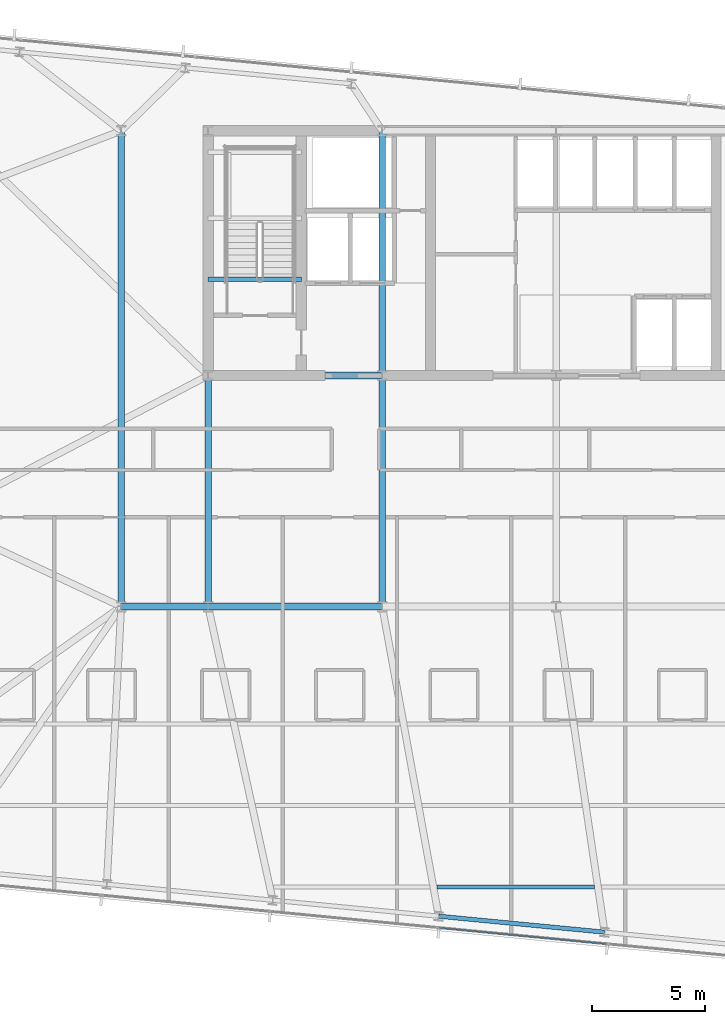
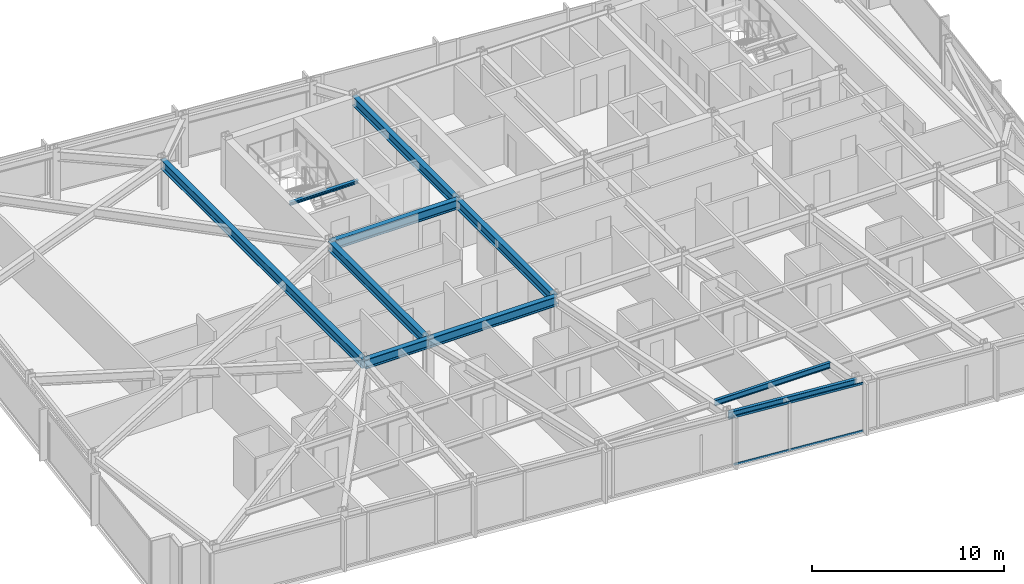
# One storey, part 11 of 38: 10 beams, 2 members, 1 element without a shape of its own.
"""IFC4 building model written with IfcOpenShell, lengths in metres."""

from ifc_helpers import new_model, si_unit, direction, frame, origin, origin_2d, place, context, subcontext, project, spatial, hollow_rectangle, i_section, extrude, material, material_profile, profile_set, type_object, element, aggregate, save


model = new_model("IFC4")

# Units and contexts
model_context = context("Model", 3, precision=1e-05, world=origin(), true_north=direction((0.0, 1.0)))
body_context = subcontext(model_context, "Body", "Model", "MODEL_VIEW")
ifc_project = project(units=[si_unit("LENGTHUNIT", "METRE"), si_unit("AREAUNIT", "SQUARE_METRE"), si_unit("VOLUMEUNIT", "CUBIC_METRE"), si_unit("PLANEANGLEUNIT", "RADIAN"), si_unit("MASSUNIT", "GRAM", prefix="KILO")], contexts=[model_context])

# Site, building, storey
site_placement = place(None, origin())
site = spatial("IfcSite", under=ifc_project, at=site_placement, CompositionType="ELEMENT")
building_placement = place(site_placement, origin())
building = spatial("IfcBuilding", under=site, at=building_placement, Name="Yelkora Congress Tower", CompositionType="ELEMENT")
storey_placement = place(building_placement, frame((0.0, 0.0, 178.699951171875)))
storey = spatial("IfcBuildingStorey", under=building, at=storey_placement, Name="L49", CompositionType="ELEMENT", Elevation=178.699951171875)

# Beams
ifc_material_1 = material(Name="Steel S355J2", Category="steel")
ifc_material_profile_1 = material_profile(ifc_material_1, i_section(OverallWidth=0.300048828125, OverallDepth=0.60009765625, WebThickness=0.015380859375, FlangeThickness=0.030029296875, FilletRadius=0.027099609375, at=origin_2d()), Name="HEB 600")
ifc_profile_set_1 = profile_set([ifc_material_profile_1], Name="Steel S355J2")
beam_type_1 = type_object("IfcBeamType", Name="BM-GIRD-HEB600", PredefinedType="BEAM", material=ifc_profile_set_1)
beam_1_placement = place(storey_placement, frame((19.199951171875, 25.199951171875, 2.780029296875), z_axis=(1.0, 0.0, 0.0), x_axis=(0.0, 1.0, 0.0)))
element("IfcBeam", 1, at=beam_1_placement, inside=storey, type_object=beam_type_1, Name="L49 Spine Grid D Girder 1", PredefinedType="BEAM", context=body_context, shape_type="SweptSolid", body=[
    extrude(i_section(OverallWidth=0.300048828125, OverallDepth=0.60009765625, WebThickness=0.015380859375, FlangeThickness=0.030029296875, FilletRadius=0.027099609375, at=origin_2d()), origin(), (0.0, 0.0, 1.0), 3.840087890625),
])
for number, where, z_axis, x_axis, name in (
    (2, (23.0400390625, 25.199951171875, 2.780029296875), (1.0, 0.0, 0.0), (0.0, 1.0, 0.0), "L49 Spine Grid D Girder 2"),
    (3, (23.0400390625, 35.39990234375, 2.780029296875), (1.0, 0.0, 0.0), (0.0, 1.0, 0.0), "L49 Core South Girder 1"),
):
    element("IfcBeam", number, at=place(storey_placement, frame(where, z_axis=z_axis, x_axis=x_axis)), inside=storey, type_object=beam_type_1, Name=name, PredefinedType="BEAM", context=body_context, shape_type="SweptSolid", body=[
        extrude(i_section(OverallWidth=0.300048828125, OverallDepth=0.60009765625, WebThickness=0.015380859375, FlangeThickness=0.030029296875, FilletRadius=0.027099609375, at=origin_2d()), origin(), (0.0, 0.0, 1.0), 7.679931640625),
    ])
for number, where, z_axis, x_axis, name in (
    (4, (23.0400390625, 25.199951171875, 2.780029296875), (0.0, 1.0, 0.0), (-1.0, 0.0, 0.0), "L49 Core Tie Girder MC-D1"),
    (5, (30.719970703125, 25.199951171875, 2.780029296875), (0.0, 1.0, 0.0), (-1.0, 0.0, 0.0), "L49 Core Tie Girder MC-D2"),
):
    element("IfcBeam", number, at=place(storey_placement, frame(where, z_axis=z_axis, x_axis=x_axis)), inside=storey, type_object=beam_type_1, Name=name, PredefinedType="BEAM", context=body_context, shape_type="SweptSolid", body=[
        extrude(i_section(OverallWidth=0.300048828125, OverallDepth=0.60009765625, WebThickness=0.015380859375, FlangeThickness=0.030029296875, FilletRadius=0.027099609375, at=origin_2d()), origin(), (0.0, 0.0, 1.0), 10.199951171875),
    ])
beam_2_placement = place(storey_placement, frame((30.719970703125, 35.39990234375, 2.780029296875), z_axis=(0.0, 1.0, 0.0), x_axis=(-1.0, 0.0, 0.0)))
element("IfcBeam", 6, at=beam_2_placement, inside=storey, type_object=beam_type_1, Name="L49 Core Tie Girder MC-S2", PredefinedType="BEAM", context=body_context, shape_type="SweptSolid", body=[
    extrude(i_section(OverallWidth=0.300048828125, OverallDepth=0.60009765625, WebThickness=0.015380859375, FlangeThickness=0.030029296875, FilletRadius=0.027099609375, at=origin_2d()), origin(), (0.0, 0.0, 1.0), 10.800048828125),
])
beam_3_placement = place(storey_placement, frame((19.199951171875, 25.199951171875, 2.780029296875), z_axis=(0.0, 1.0, 0.0), x_axis=(-1.0, 0.0, 0.0)))
element("IfcBeam", 7, at=beam_3_placement, inside=storey, type_object=beam_type_1, Name="L49 Neck Flank Girder MC-F1", PredefinedType="BEAM", context=body_context, shape_type="SweptSolid", body=[
    extrude(i_section(OverallWidth=0.300048828125, OverallDepth=0.60009765625, WebThickness=0.015380859375, FlangeThickness=0.030029296875, FilletRadius=0.027099609375, at=origin_2d()), origin(), (0.0, 0.0, 1.0), 21.0),
])
ifc_material_profile_2 = material_profile(ifc_material_1, i_section(OverallWidth=0.169921875, OverallDepth=0.360107421875, WebThickness=0.008056640625, FlangeThickness=0.0126953125, FilletRadius=0.01806640625, at=origin_2d()), Name="IPE 360")
ifc_profile_set_2 = profile_set([ifc_material_profile_2], Name="Steel S355J2")
beam_type_2 = type_object("IfcBeamType", Name="BM-JOIST-IPE360", PredefinedType="JOIST", material=ifc_profile_set_2)
beam_4_placement = place(storey_placement, frame((33.137939453125, 12.8212890625, 2.900146484375), z_axis=(1.0, 0.0, 0.0), x_axis=(0.0, 1.0, 0.0)))
element("IfcBeam", 8, at=beam_4_placement, inside=storey, type_object=beam_type_2, Name="L49 Composite Floor Joist 2", PredefinedType="JOIST", context=body_context, shape_type="SweptSolid", body=[
    extrude(i_section(OverallWidth=0.169921875, OverallDepth=0.360107421875, WebThickness=0.008056640625, FlangeThickness=0.0126953125, FilletRadius=0.01806640625, at=origin_2d()), origin(), (0.0, 0.0, 1.0), 6.94189453125),
])
ifc_material_profile_3 = material_profile(ifc_material_1, i_section(OverallWidth=0.199951171875, OverallDepth=0.18994140625, WebThickness=0.006591796875, FlangeThickness=0.010009765625, FilletRadius=0.01806640625, at=origin_2d()), Name="HEA 200")
ifc_profile_set_3 = profile_set([ifc_material_profile_3], Name="Steel S355J2")
beam_type_3 = type_object("IfcBeamType", Name="BM-LAND-HEA200", PredefinedType="BEAM", material=ifc_profile_set_3)
beam_5_placement = place(storey_placement, frame((23.0400390625, 39.639892578125, 2.85400390625), z_axis=(1.0, 0.0, 0.0), x_axis=(0.0, 1.0, 0.0)))
element("IfcBeam", 9, at=beam_5_placement, inside=storey, type_object=beam_type_3, Name="ST-01 L49 Floor Arrival Stringer Header Beam", PredefinedType="BEAM", context=body_context, shape_type="SweptSolid", body=[
    extrude(i_section(OverallWidth=0.199951171875, OverallDepth=0.18994140625, WebThickness=0.006591796875, FlangeThickness=0.010009765625, FilletRadius=0.01806640625, at=origin_2d()), origin(), (0.0, 0.0, 1.0), 4.10986328125),
])
ifc_material_profile_4 = material_profile(ifc_material_1, i_section(OverallWidth=0.18994140625, OverallDepth=0.449951171875, WebThickness=0.009521484375, FlangeThickness=0.0146484375, FilletRadius=0.02099609375, at=origin_2d()), Name="IPE 450")
ifc_profile_set_4 = profile_set([ifc_material_profile_4], Name="Steel S355J2")
beam_type_4 = type_object("IfcBeamType", Name="BM-SPAN-IPE450", PredefinedType="SPANDREL", material=ifc_profile_set_4)
beam_6_placement = place(storey_placement, frame((33.21240234375, 11.53662109375, 2.85498046875), z_axis=(0.995397104697, -0.095836339457, 0.0), x_axis=(0.095836339457, 0.995397104697, 0.0)))
element("IfcBeam", 10, at=beam_6_placement, inside=storey, type_object=beam_type_4, Name="L49 Perimeter Beam 6", PredefinedType="SPANDREL", context=body_context, shape_type="SweptSolid", body=[
    extrude(i_section(OverallWidth=0.18994140625, OverallDepth=0.449951171875, WebThickness=0.009521484375, FlangeThickness=0.0146484375, FilletRadius=0.02099609375, at=origin_2d()), origin(), (0.0, 0.0, 1.0), 7.357177734375),
])

# Curtain wall, members
ifc_material_2 = material(Name="Anodised aluminium and insulated glass", Category="aluminium")
curtain_wall_type = type_object("IfcCurtainWallType", Name="CW-SYS-B3", PredefinedType="NOTDEFINED", material=ifc_material_2)
curtain_wall_placement = place(storey_placement, origin())
curtain_wall = element("IfcCurtainWall", 11, at=curtain_wall_placement, inside=storey, type_object=curtain_wall_type, Name="L49 Unitised Curtain Wall 20", PredefinedType="NOTDEFINED")
ifc_material_3 = material(Name="Anodised aluminium 6063-T6", Category="aluminium")
ifc_material_profile_5 = material_profile(ifc_material_3, hollow_rectangle(XDim=0.06005859375, YDim=0.1298828125, WallThickness=0.00390625, at=origin_2d()), Name="ALU 60x130x4")
ifc_profile_set_5 = profile_set([ifc_material_profile_5], Name="Anodised aluminium 6063-T6")
member_type = type_object("IfcMemberType", Name="MEM-TR-B3", PredefinedType="USERDEFINED", material=ifc_profile_set_5)
member_1_placement = place(storey_placement, frame((40.626708984375, 10.310302734375, 0.030029296875), z_axis=(-0.99539548672, 0.095853142967, 0.0), x_axis=(-0.095853142967, -0.99539548672, 0.0)))
member_1 = element("IfcMember", 12, at=member_1_placement, type_object=member_type, Name="CW-B3 transom 3.1", ObjectType="TRANSOM", PredefinedType="USERDEFINED", context=body_context, shape_type="SweptSolid", body=[
    extrude(hollow_rectangle(XDim=0.06005859375, YDim=0.1298828125, WallThickness=0.00390625, at=origin_2d()), origin(), (0.0, 0.0, 1.0), 7.404296875),
])
member_2_placement = place(storey_placement, frame((40.626708984375, 10.310302734375, 3.050048828125), z_axis=(-0.99539548672, 0.095853142967, 0.0), x_axis=(-0.095853142967, -0.99539548672, 0.0)))
member_2 = element("IfcMember", 13, at=member_2_placement, type_object=member_type, Name="CW-B3 transom 3.2", ObjectType="TRANSOM", PredefinedType="USERDEFINED", context=body_context, shape_type="SweptSolid", body=[
    extrude(hollow_rectangle(XDim=0.06005859375, YDim=0.1298828125, WallThickness=0.00390625, at=origin_2d()), origin(), (0.0, 0.0, 1.0), 7.404296875),
])
aggregate(curtain_wall, [member_1, member_2])

save(model, "model.ifc")
